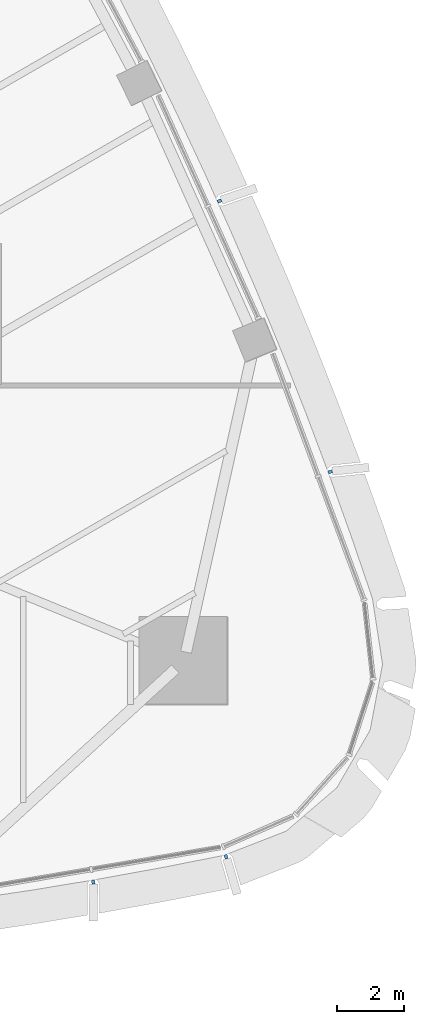
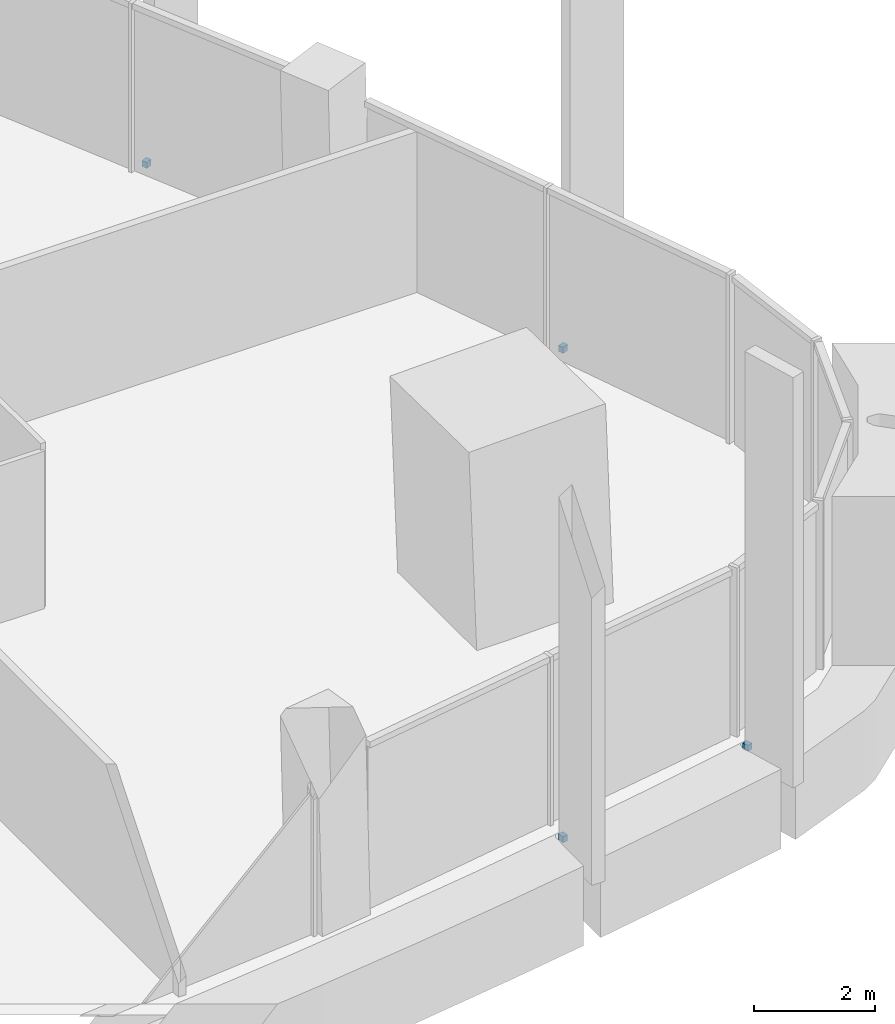
# One storey, part 14 of 17: 4 discrete accessories.
"""IFC4 building model written with IfcOpenShell, lengths in metres."""

from ifc_helpers import new_model, si_unit, direction, frame, origin, origin_2d, place, context, subcontext, project, spatial, rectangle, extrude, material, type_object, element, save


model = new_model("IFC4")

# Units and contexts
model_context = context("Model", 3, precision=1e-05, world=origin(), true_north=direction((0.0, 1.0)))
body_context = subcontext(model_context, "Body", "Model", "MODEL_VIEW")
ifc_project = project(units=[si_unit("LENGTHUNIT", "METRE"), si_unit("AREAUNIT", "SQUARE_METRE"), si_unit("VOLUMEUNIT", "CUBIC_METRE"), si_unit("PLANEANGLEUNIT", "RADIAN"), si_unit("MASSUNIT", "GRAM", prefix="KILO")], contexts=[model_context])

# Site, building, storey
site_placement = place(None, origin())
site = spatial("IfcSite", under=ifc_project, at=site_placement, CompositionType="ELEMENT")
building_placement = place(site_placement, origin())
building = spatial("IfcBuilding", under=site, at=building_placement, Name="Sierra Prisma Convention Tower", CompositionType="ELEMENT")
storey_placement = place(building_placement, frame((0.0, 0.0, 169.800048828125)))
storey = spatial("IfcBuildingStorey", under=building, at=storey_placement, Name="L37", CompositionType="ELEMENT", Elevation=169.800048828125)

# Discrete accessories
ifc_material = material(Name="Stainless steel 316", Category="steel")
discrete_accessory_type = type_object("IfcDiscreteAccessoryType", Name="Fin bracket", PredefinedType="BRACKET", material=ifc_material)
for number, where, z_axis, x_axis, name in (
    (1, (21.16650390625, -20.33251953125, -0.135009765625), (0.0, 0.0, 1.0), (0.162688617031, -0.986677461934, 0.0), "Fin bracket L37.17 base"),
    (2, (25.10302734375, -19.58154296875, -0.135009765625), (0.0, 0.0, 1.0), (0.362825419817, -0.931857132148, 0.0), "Fin bracket L37.18 base"),
    (3, (28.191650390625, -8.16455078125, -0.135009765625), (0.0, 0.0, 1.0), (0.935832055892, 0.352446255712, 0.0), "Fin bracket L37.23 base"),
    (4, (24.907470703125, -0.133056640625, -0.135009765625), (0.0, 0.0, 1.0), (0.912092463954, 0.409984557268, 0.0), "Fin bracket L37.26 base"),
):
    element("IfcDiscreteAccessory", number, at=place(storey_placement, frame(where, z_axis=z_axis, x_axis=x_axis)), inside=storey, type_object=discrete_accessory_type, Name=name, PredefinedType="BRACKET", context=body_context, shape_type="SweptSolid", body=[
        extrude(rectangle(XDim=0.1201171875, YDim=0.10009765625, at=origin_2d()), origin(), (0.0, 0.0, 1.0), 0.1201171875),
    ])

save(model, "model.ifc")
